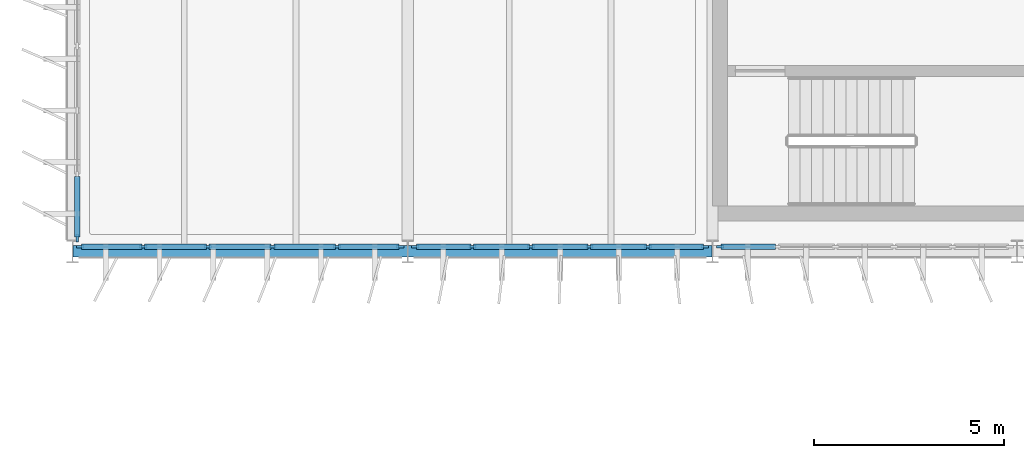
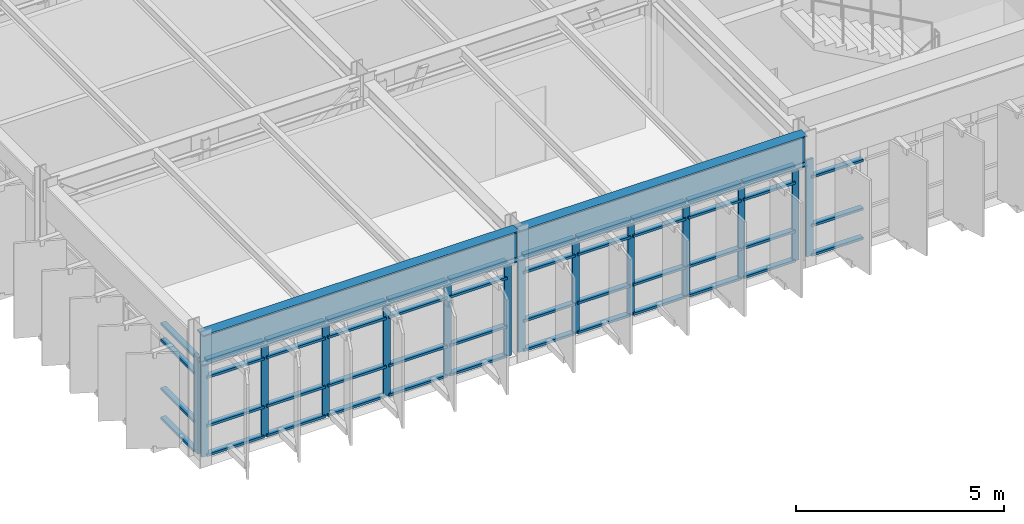
# One storey, part 9 of 56: 61 members, 2 beams, 4 elements without a shape of their own.
"""IFC4 building model written with IfcOpenShell, lengths in metres."""

from ifc_helpers import new_model, si_unit, direction, frame, origin, origin_2d, place, context, subcontext, project, spatial, rectangle, i_section, extrude, material, layer, layer_set, material_profile, profile_set, type_object, element, aggregate, save


model = new_model("IFC4")

# Units and contexts
model_context = context("Model", 3, precision=1e-05, world=origin(), true_north=direction((0.0, 1.0)))
body_context = subcontext(model_context, "Body", "Model", "MODEL_VIEW")
ifc_project = project(units=[si_unit("LENGTHUNIT", "METRE"), si_unit("AREAUNIT", "SQUARE_METRE"), si_unit("VOLUMEUNIT", "CUBIC_METRE"), si_unit("PLANEANGLEUNIT", "RADIAN"), si_unit("MASSUNIT", "GRAM", prefix="KILO")], contexts=[model_context])

# Site, building, storey
site_placement = place(None, origin())
site = spatial("IfcSite", under=ifc_project, at=site_placement, CompositionType="ELEMENT")
building_placement = place(site_placement, origin())
building = spatial("IfcBuilding", under=site, at=building_placement, Name="Valkorina Park Police Headquarters", CompositionType="ELEMENT")
storey_placement = place(building_placement, frame((0.0, 0.0, 14.10009765625)))
storey = spatial("IfcBuildingStorey", under=building, at=storey_placement, Name="L04", CompositionType="ELEMENT", Elevation=14.10009765625)

# Beams
ifc_material_1 = material(Name="Steel S355", Category="steel")
ifc_material_profile_1 = material_profile(ifc_material_1, i_section(OverallWidth=0.300048828125, OverallDepth=0.89990234375, WebThickness=0.0185546875, FlangeThickness=0.034912109375, FilletRadius=0.030029296875, at=origin_2d()), Name="HEB 900")
ifc_profile_set_1 = profile_set([ifc_material_profile_1], Name="Steel S355")
beam_type = type_object("IfcBeamType", Name="BM-S355-HEB900-EXT", PredefinedType="SPANDREL", material=ifc_profile_set_1)
beam_1_placement = place(storey_placement, frame((0.0078125, 37.0, 3.304931640625), z_axis=(1.0, 0.0, 0.0), x_axis=(0.0, 1.0, 0.0)))
element("IfcBeam", 1, at=beam_1_placement, inside=storey, type_object=beam_type, Name="L04 Framing Beam 2214", PredefinedType="SPANDREL", context=body_context, shape_type="SweptSolid", body=[
    extrude(i_section(OverallWidth=0.300048828125, OverallDepth=0.89990234375, WebThickness=0.0185546875, FlangeThickness=0.034912109375, FilletRadius=0.030029296875, at=origin_2d()), origin(), (0.0, 0.0, 1.0), 8.784423828125),
])
beam_2_placement = place(storey_placement, frame((8.8076171875, 37.0, 3.304931640625), z_axis=(1.0, 0.0, 0.0), x_axis=(0.0, 1.0, 0.0)))
element("IfcBeam", 2, at=beam_2_placement, inside=storey, type_object=beam_type, Name="L04 Framing Beam 2215", PredefinedType="SPANDREL", context=body_context, shape_type="SweptSolid", body=[
    extrude(i_section(OverallWidth=0.300048828125, OverallDepth=0.89990234375, WebThickness=0.0185546875, FlangeThickness=0.034912109375, FilletRadius=0.030029296875, at=origin_2d()), origin(), (0.0, 0.0, 1.0), 7.984619140625),
])

# Curtain wall, member
ifc_material_2 = material(Name="Thermally broken aluminium AW-6060", Category="aluminium")
ifc_layer_1 = layer(ifc_material_2, 0.18994140625)
ifc_layer_set_1 = layer_set([ifc_layer_1], Name="Thermally broken aluminium AW-6060")
curtain_wall_type_1 = type_object("IfcCurtainWallType", Name="CW-V5-7680x2840", PredefinedType="NOTDEFINED", material=ifc_layer_set_1)
curtain_wall_1_placement = place(storey_placement, origin())
curtain_wall_1 = element("IfcCurtainWall", 3, at=curtain_wall_1_placement, inside=storey, type_object=curtain_wall_type_1, Name="L04 Unitised Curtain Wall 055", PredefinedType="NOTDEFINED")
ifc_material_profile_2 = material_profile(ifc_material_2, rectangle(XDim=0.070068359375, YDim=0.18994140625, at=origin_2d()), Name="CWM-02 70x190")
ifc_profile_set_2 = profile_set([ifc_material_profile_2], Name="Thermally broken aluminium AW-6060")
member_type_1 = type_object("IfcMemberType", Name="CWM-70x190", PredefinedType="MULLION", material=ifc_profile_set_2)
member_1_placement = place(storey_placement, frame((16.9951171875, 37.1201171875, 0.0), z_axis=(0.0, 0.0, 1.0), x_axis=(0.0, -1.0, 0.0)))
member_1 = element("IfcMember", 4, at=member_1_placement, type_object=member_type_1, Name="CW-V5-768-284 mullion 6", PredefinedType="MULLION", context=body_context, shape_type="SweptSolid", body=[
    extrude(rectangle(XDim=0.070068359375, YDim=0.18994140625, at=origin_2d()), origin(), (0.0, 0.0, 1.0), 2.844970703125),
])

# Curtain wall, members
curtain_wall_2_placement = place(storey_placement, origin())
curtain_wall_2 = element("IfcCurtainWall", 5, at=curtain_wall_2_placement, inside=storey, type_object=curtain_wall_type_1, Name="L04 Unitised Curtain Wall 056", PredefinedType="NOTDEFINED")
member_2_placement = place(storey_placement, frame((16.60498046875, 37.1201171875, 0.0), z_axis=(0.0, 0.0, 1.0), x_axis=(0.0, -1.0, 0.0)))
member_2 = element("IfcMember", 6, at=member_2_placement, type_object=member_type_1, Name="CW-V5-768-284 mullion 1", PredefinedType="MULLION", context=body_context, shape_type="SweptSolid", body=[
    extrude(rectangle(XDim=0.070068359375, YDim=0.18994140625, at=origin_2d()), origin(), (0.0, 0.0, 1.0), 2.844970703125),
])
member_3_placement = place(storey_placement, frame((15.10400390625, 37.1201171875, 0.0), z_axis=(0.0, 0.0, 1.0), x_axis=(0.0, -1.0, 0.0)))
member_3 = element("IfcMember", 7, at=member_3_placement, type_object=member_type_1, Name="CW-V5-768-284 mullion 2", PredefinedType="MULLION", context=body_context, shape_type="SweptSolid", body=[
    extrude(rectangle(XDim=0.070068359375, YDim=0.18994140625, at=origin_2d()), origin(), (0.0, 0.0, 1.0), 2.844970703125),
])
member_4_placement = place(storey_placement, frame((13.568115234375, 37.1201171875, 0.0), z_axis=(0.0, 0.0, 1.0), x_axis=(0.0, -1.0, 0.0)))
member_4 = element("IfcMember", 8, at=member_4_placement, type_object=member_type_1, Name="CW-V5-768-284 mullion 3", PredefinedType="MULLION", context=body_context, shape_type="SweptSolid", body=[
    extrude(rectangle(XDim=0.070068359375, YDim=0.18994140625, at=origin_2d()), origin(), (0.0, 0.0, 1.0), 2.844970703125),
])
member_5_placement = place(storey_placement, frame((12.031982421875, 37.1201171875, 0.0), z_axis=(0.0, 0.0, 1.0), x_axis=(0.0, -1.0, 0.0)))
member_5 = element("IfcMember", 9, at=member_5_placement, type_object=member_type_1, Name="CW-V5-768-284 mullion 4", PredefinedType="MULLION", context=body_context, shape_type="SweptSolid", body=[
    extrude(rectangle(XDim=0.070068359375, YDim=0.18994140625, at=origin_2d()), origin(), (0.0, 0.0, 1.0), 2.844970703125),
])
member_6_placement = place(storey_placement, frame((10.49609375, 37.1201171875, 0.0), z_axis=(0.0, 0.0, 1.0), x_axis=(0.0, -1.0, 0.0)))
member_6 = element("IfcMember", 10, at=member_6_placement, type_object=member_type_1, Name="CW-V5-768-284 mullion 5", PredefinedType="MULLION", context=body_context, shape_type="SweptSolid", body=[
    extrude(rectangle(XDim=0.070068359375, YDim=0.18994140625, at=origin_2d()), origin(), (0.0, 0.0, 1.0), 2.844970703125),
])
member_7_placement = place(storey_placement, frame((8.9951171875, 37.1201171875, 0.0), z_axis=(0.0, 0.0, 1.0), x_axis=(0.0, -1.0, 0.0)))
member_7 = element("IfcMember", 11, at=member_7_placement, type_object=member_type_1, Name="CW-V5-768-284 mullion 6", PredefinedType="MULLION", context=body_context, shape_type="SweptSolid", body=[
    extrude(rectangle(XDim=0.070068359375, YDim=0.18994140625, at=origin_2d()), origin(), (0.0, 0.0, 1.0), 2.844970703125),
])

ifc_layer_2 = layer(ifc_material_2, 0.18994140625)
ifc_layer_set_2 = layer_set([ifc_layer_2], Name="Thermally broken aluminium AW-6060")
curtain_wall_type_2 = type_object("IfcCurtainWallType", Name="CW-V5-8480x2840", PredefinedType="NOTDEFINED", material=ifc_layer_set_2)
curtain_wall_3_placement = place(storey_placement, origin())
curtain_wall_3 = element("IfcCurtainWall", 12, at=curtain_wall_3_placement, inside=storey, type_object=curtain_wall_type_2, Name="L04 Unitised Curtain Wall 057", PredefinedType="NOTDEFINED")
member_8_placement = place(storey_placement, frame((8.60498046875, 37.1201171875, 0.0), z_axis=(0.0, 0.0, 1.0), x_axis=(0.0, -1.0, 0.0)))
member_8 = element("IfcMember", 13, at=member_8_placement, type_object=member_type_1, Name="CW-V5-848-284 mullion 1", PredefinedType="MULLION", context=body_context, shape_type="SweptSolid", body=[
    extrude(rectangle(XDim=0.070068359375, YDim=0.18994140625, at=origin_2d()), origin(), (0.0, 0.0, 1.0), 2.844970703125),
])
member_9_placement = place(storey_placement, frame((6.944091796875, 37.1201171875, 0.0), z_axis=(0.0, 0.0, 1.0), x_axis=(0.0, -1.0, 0.0)))
member_9 = element("IfcMember", 14, at=member_9_placement, type_object=member_type_1, Name="CW-V5-848-284 mullion 2", PredefinedType="MULLION", context=body_context, shape_type="SweptSolid", body=[
    extrude(rectangle(XDim=0.070068359375, YDim=0.18994140625, at=origin_2d()), origin(), (0.0, 0.0, 1.0), 2.844970703125),
])
member_10_placement = place(storey_placement, frame((5.248046875, 37.1201171875, 0.0), z_axis=(0.0, 0.0, 1.0), x_axis=(0.0, -1.0, 0.0)))
member_10 = element("IfcMember", 15, at=member_10_placement, type_object=member_type_1, Name="CW-V5-848-284 mullion 3", PredefinedType="MULLION", context=body_context, shape_type="SweptSolid", body=[
    extrude(rectangle(XDim=0.070068359375, YDim=0.18994140625, at=origin_2d()), origin(), (0.0, 0.0, 1.0), 2.844970703125),
])
member_11_placement = place(storey_placement, frame((3.552001953125, 37.1201171875, 0.0), z_axis=(0.0, 0.0, 1.0), x_axis=(0.0, -1.0, 0.0)))
member_11 = element("IfcMember", 16, at=member_11_placement, type_object=member_type_1, Name="CW-V5-848-284 mullion 4", PredefinedType="MULLION", context=body_context, shape_type="SweptSolid", body=[
    extrude(rectangle(XDim=0.070068359375, YDim=0.18994140625, at=origin_2d()), origin(), (0.0, 0.0, 1.0), 2.844970703125),
])
member_12_placement = place(storey_placement, frame((1.85595703125, 37.1201171875, 0.0), z_axis=(0.0, 0.0, 1.0), x_axis=(0.0, -1.0, 0.0)))
member_12 = element("IfcMember", 17, at=member_12_placement, type_object=member_type_1, Name="CW-V5-848-284 mullion 5", PredefinedType="MULLION", context=body_context, shape_type="SweptSolid", body=[
    extrude(rectangle(XDim=0.070068359375, YDim=0.18994140625, at=origin_2d()), origin(), (0.0, 0.0, 1.0), 2.844970703125),
])
member_13_placement = place(storey_placement, frame((0.195068359375, 37.1201171875, 0.0), z_axis=(0.0, 0.0, 1.0), x_axis=(0.0, -1.0, 0.0)))
member_13 = element("IfcMember", 18, at=member_13_placement, type_object=member_type_1, Name="CW-V5-848-284 mullion 6", PredefinedType="MULLION", context=body_context, shape_type="SweptSolid", body=[
    extrude(rectangle(XDim=0.070068359375, YDim=0.18994140625, at=origin_2d()), origin(), (0.0, 0.0, 1.0), 2.844970703125),
])

# Curtain wall, member
ifc_layer_3 = layer(ifc_material_2, 0.18994140625)
ifc_layer_set_3 = layer_set([ifc_layer_3], Name="Thermally broken aluminium AW-6060")
curtain_wall_type_3 = type_object("IfcCurtainWallType", Name="CW-V5-6780x2840", PredefinedType="NOTDEFINED", material=ifc_layer_set_3)
curtain_wall_4_placement = place(storey_placement, origin())
curtain_wall_4 = element("IfcCurtainWall", 19, at=curtain_wall_4_placement, inside=storey, type_object=curtain_wall_type_3, Name="L04 Unitised Curtain Wall 058", PredefinedType="NOTDEFINED")
member_14_placement = place(storey_placement, frame((0.1201171875, 37.344970703125, 0.0), z_axis=(0.0, 0.0, 1.0), x_axis=(-1.0, 0.0, 0.0)))
member_14 = element("IfcMember", 20, at=member_14_placement, type_object=member_type_1, Name="CW-V5-678-284 mullion 1", PredefinedType="MULLION", context=body_context, shape_type="SweptSolid", body=[
    extrude(rectangle(XDim=0.070068359375, YDim=0.18994140625, at=origin_2d()), origin(), (0.0, 0.0, 1.0), 2.844970703125),
])

# Member
ifc_material_profile_3 = material_profile(ifc_material_2, rectangle(XDim=0.14990234375, YDim=0.070068359375, at=origin_2d()), Name="CWT-02 150x70")
ifc_profile_set_3 = profile_set([ifc_material_profile_3], Name="Thermally broken aluminium AW-6060")
member_type_2 = type_object("IfcMemberType", Name="CWT-150x70", PredefinedType="USERDEFINED", material=ifc_profile_set_3)
member_15_placement = place(storey_placement, frame((18.4609375, 37.1201171875, 0.034912109375), z_axis=(-1.0, 0.0, 0.0), x_axis=(0.0, -1.0, 0.0)))
member_15 = element("IfcMember", 21, at=member_15_placement, type_object=member_type_2, Name="CW-V5-768-284 transom 5.1", ObjectType="TRANSOM", PredefinedType="USERDEFINED", context=body_context, shape_type="SweptSolid", body=[
    extrude(rectangle(XDim=0.14990234375, YDim=0.070068359375, at=origin_2d()), origin(), (0.0, 0.0, 1.0), 1.430908203125),
])

member_16_placement = place(storey_placement, frame((18.4609375, 37.1201171875, 0.89990234375), z_axis=(-1.0, 0.0, 0.0), x_axis=(0.0, -1.0, 0.0)))
member_16 = element("IfcMember", 22, at=member_16_placement, type_object=member_type_2, Name="CW-V5-768-284 transom 5.2", ObjectType="TRANSOM", PredefinedType="USERDEFINED", context=body_context, shape_type="SweptSolid", body=[
    extrude(rectangle(XDim=0.14990234375, YDim=0.070068359375, at=origin_2d()), origin(), (0.0, 0.0, 1.0), 1.430908203125),
])

member_17_placement = place(storey_placement, frame((18.4609375, 37.1201171875, 2.324951171875), z_axis=(-1.0, 0.0, 0.0), x_axis=(0.0, -1.0, 0.0)))
member_17 = element("IfcMember", 23, at=member_17_placement, type_object=member_type_2, Name="CW-V5-768-284 transom 5.3", ObjectType="TRANSOM", PredefinedType="USERDEFINED", context=body_context, shape_type="SweptSolid", body=[
    extrude(rectangle(XDim=0.14990234375, YDim=0.070068359375, at=origin_2d()), origin(), (0.0, 0.0, 1.0), 1.430908203125),
])

aggregate(curtain_wall_1, [member_1, member_15, member_16, member_17])

member_18_placement = place(storey_placement, frame((16.570068359375, 37.1201171875, 0.034912109375), z_axis=(-1.0, 0.0, 0.0), x_axis=(0.0, -1.0, 0.0)))
member_18 = element("IfcMember", 24, at=member_18_placement, type_object=member_type_2, Name="CW-V5-768-284 transom 1.1", ObjectType="TRANSOM", PredefinedType="USERDEFINED", context=body_context, shape_type="SweptSolid", body=[
    extrude(rectangle(XDim=0.14990234375, YDim=0.070068359375, at=origin_2d()), origin(), (0.0, 0.0, 1.0), 1.43115234375),
])

member_19_placement = place(storey_placement, frame((16.570068359375, 37.1201171875, 0.89990234375), z_axis=(-1.0, 0.0, 0.0), x_axis=(0.0, -1.0, 0.0)))
member_19 = element("IfcMember", 25, at=member_19_placement, type_object=member_type_2, Name="CW-V5-768-284 transom 1.2", ObjectType="TRANSOM", PredefinedType="USERDEFINED", context=body_context, shape_type="SweptSolid", body=[
    extrude(rectangle(XDim=0.14990234375, YDim=0.070068359375, at=origin_2d()), origin(), (0.0, 0.0, 1.0), 1.43115234375),
])

member_20_placement = place(storey_placement, frame((16.570068359375, 37.1201171875, 2.324951171875), z_axis=(-1.0, 0.0, 0.0), x_axis=(0.0, -1.0, 0.0)))
member_20 = element("IfcMember", 26, at=member_20_placement, type_object=member_type_2, Name="CW-V5-768-284 transom 1.3", ObjectType="TRANSOM", PredefinedType="USERDEFINED", context=body_context, shape_type="SweptSolid", body=[
    extrude(rectangle(XDim=0.14990234375, YDim=0.070068359375, at=origin_2d()), origin(), (0.0, 0.0, 1.0), 1.43115234375),
])

member_21_placement = place(storey_placement, frame((16.570068359375, 37.1201171875, 2.809814453125), z_axis=(-1.0, 0.0, 0.0), x_axis=(0.0, -1.0, 0.0)))
member_21 = element("IfcMember", 27, at=member_21_placement, type_object=member_type_2, Name="CW-V5-768-284 transom 1.4", ObjectType="TRANSOM", PredefinedType="USERDEFINED", context=body_context, shape_type="SweptSolid", body=[
    extrude(rectangle(XDim=0.14990234375, YDim=0.070068359375, at=origin_2d()), origin(), (0.0, 0.0, 1.0), 1.43115234375),
])

member_22_placement = place(storey_placement, frame((15.069091796875, 37.1201171875, 0.034912109375), z_axis=(-1.0, 0.0, 0.0), x_axis=(0.0, -1.0, 0.0)))
member_22 = element("IfcMember", 28, at=member_22_placement, type_object=member_type_2, Name="CW-V5-768-284 transom 2.1", ObjectType="TRANSOM", PredefinedType="USERDEFINED", context=body_context, shape_type="SweptSolid", body=[
    extrude(rectangle(XDim=0.14990234375, YDim=0.070068359375, at=origin_2d()), origin(), (0.0, 0.0, 1.0), 1.466064453125),
])

member_23_placement = place(storey_placement, frame((15.069091796875, 37.1201171875, 0.89990234375), z_axis=(-1.0, 0.0, 0.0), x_axis=(0.0, -1.0, 0.0)))
member_23 = element("IfcMember", 29, at=member_23_placement, type_object=member_type_2, Name="CW-V5-768-284 transom 2.2", ObjectType="TRANSOM", PredefinedType="USERDEFINED", context=body_context, shape_type="SweptSolid", body=[
    extrude(rectangle(XDim=0.14990234375, YDim=0.070068359375, at=origin_2d()), origin(), (0.0, 0.0, 1.0), 1.466064453125),
])

member_24_placement = place(storey_placement, frame((15.069091796875, 37.1201171875, 2.324951171875), z_axis=(-1.0, 0.0, 0.0), x_axis=(0.0, -1.0, 0.0)))
member_24 = element("IfcMember", 30, at=member_24_placement, type_object=member_type_2, Name="CW-V5-768-284 transom 2.3", ObjectType="TRANSOM", PredefinedType="USERDEFINED", context=body_context, shape_type="SweptSolid", body=[
    extrude(rectangle(XDim=0.14990234375, YDim=0.070068359375, at=origin_2d()), origin(), (0.0, 0.0, 1.0), 1.466064453125),
])

member_25_placement = place(storey_placement, frame((15.069091796875, 37.1201171875, 2.809814453125), z_axis=(-1.0, 0.0, 0.0), x_axis=(0.0, -1.0, 0.0)))
member_25 = element("IfcMember", 31, at=member_25_placement, type_object=member_type_2, Name="CW-V5-768-284 transom 2.4", ObjectType="TRANSOM", PredefinedType="USERDEFINED", context=body_context, shape_type="SweptSolid", body=[
    extrude(rectangle(XDim=0.14990234375, YDim=0.070068359375, at=origin_2d()), origin(), (0.0, 0.0, 1.0), 1.466064453125),
])

member_26_placement = place(storey_placement, frame((13.532958984375, 37.1201171875, 0.034912109375), z_axis=(-1.0, 0.0, 0.0), x_axis=(0.0, -1.0, 0.0)))
member_26 = element("IfcMember", 32, at=member_26_placement, type_object=member_type_2, Name="CW-V5-768-284 transom 3.1", ObjectType="TRANSOM", PredefinedType="USERDEFINED", context=body_context, shape_type="SweptSolid", body=[
    extrude(rectangle(XDim=0.14990234375, YDim=0.070068359375, at=origin_2d()), origin(), (0.0, 0.0, 1.0), 1.466064453125),
])

member_27_placement = place(storey_placement, frame((13.532958984375, 37.1201171875, 0.89990234375), z_axis=(-1.0, 0.0, 0.0), x_axis=(0.0, -1.0, 0.0)))
member_27 = element("IfcMember", 33, at=member_27_placement, type_object=member_type_2, Name="CW-V5-768-284 transom 3.2", ObjectType="TRANSOM", PredefinedType="USERDEFINED", context=body_context, shape_type="SweptSolid", body=[
    extrude(rectangle(XDim=0.14990234375, YDim=0.070068359375, at=origin_2d()), origin(), (0.0, 0.0, 1.0), 1.466064453125),
])

member_28_placement = place(storey_placement, frame((13.532958984375, 37.1201171875, 2.324951171875), z_axis=(-1.0, 0.0, 0.0), x_axis=(0.0, -1.0, 0.0)))
member_28 = element("IfcMember", 34, at=member_28_placement, type_object=member_type_2, Name="CW-V5-768-284 transom 3.3", ObjectType="TRANSOM", PredefinedType="USERDEFINED", context=body_context, shape_type="SweptSolid", body=[
    extrude(rectangle(XDim=0.14990234375, YDim=0.070068359375, at=origin_2d()), origin(), (0.0, 0.0, 1.0), 1.466064453125),
])

member_29_placement = place(storey_placement, frame((13.532958984375, 37.1201171875, 2.809814453125), z_axis=(-1.0, 0.0, 0.0), x_axis=(0.0, -1.0, 0.0)))
member_29 = element("IfcMember", 35, at=member_29_placement, type_object=member_type_2, Name="CW-V5-768-284 transom 3.4", ObjectType="TRANSOM", PredefinedType="USERDEFINED", context=body_context, shape_type="SweptSolid", body=[
    extrude(rectangle(XDim=0.14990234375, YDim=0.070068359375, at=origin_2d()), origin(), (0.0, 0.0, 1.0), 1.466064453125),
])

member_30_placement = place(storey_placement, frame((11.9970703125, 37.1201171875, 0.034912109375), z_axis=(-1.0, 0.0, 0.0), x_axis=(0.0, -1.0, 0.0)))
member_30 = element("IfcMember", 36, at=member_30_placement, type_object=member_type_2, Name="CW-V5-768-284 transom 4.1", ObjectType="TRANSOM", PredefinedType="USERDEFINED", context=body_context, shape_type="SweptSolid", body=[
    extrude(rectangle(XDim=0.14990234375, YDim=0.070068359375, at=origin_2d()), origin(), (0.0, 0.0, 1.0), 1.466064453125),
])

member_31_placement = place(storey_placement, frame((11.9970703125, 37.1201171875, 0.89990234375), z_axis=(-1.0, 0.0, 0.0), x_axis=(0.0, -1.0, 0.0)))
member_31 = element("IfcMember", 37, at=member_31_placement, type_object=member_type_2, Name="CW-V5-768-284 transom 4.2", ObjectType="TRANSOM", PredefinedType="USERDEFINED", context=body_context, shape_type="SweptSolid", body=[
    extrude(rectangle(XDim=0.14990234375, YDim=0.070068359375, at=origin_2d()), origin(), (0.0, 0.0, 1.0), 1.466064453125),
])

member_32_placement = place(storey_placement, frame((11.9970703125, 37.1201171875, 2.324951171875), z_axis=(-1.0, 0.0, 0.0), x_axis=(0.0, -1.0, 0.0)))
member_32 = element("IfcMember", 38, at=member_32_placement, type_object=member_type_2, Name="CW-V5-768-284 transom 4.3", ObjectType="TRANSOM", PredefinedType="USERDEFINED", context=body_context, shape_type="SweptSolid", body=[
    extrude(rectangle(XDim=0.14990234375, YDim=0.070068359375, at=origin_2d()), origin(), (0.0, 0.0, 1.0), 1.466064453125),
])

member_33_placement = place(storey_placement, frame((11.9970703125, 37.1201171875, 2.809814453125), z_axis=(-1.0, 0.0, 0.0), x_axis=(0.0, -1.0, 0.0)))
member_33 = element("IfcMember", 39, at=member_33_placement, type_object=member_type_2, Name="CW-V5-768-284 transom 4.4", ObjectType="TRANSOM", PredefinedType="USERDEFINED", context=body_context, shape_type="SweptSolid", body=[
    extrude(rectangle(XDim=0.14990234375, YDim=0.070068359375, at=origin_2d()), origin(), (0.0, 0.0, 1.0), 1.466064453125),
])

member_34_placement = place(storey_placement, frame((10.4609375, 37.1201171875, 0.034912109375), z_axis=(-1.0, 0.0, 0.0), x_axis=(0.0, -1.0, 0.0)))
member_34 = element("IfcMember", 40, at=member_34_placement, type_object=member_type_2, Name="CW-V5-768-284 transom 5.1", ObjectType="TRANSOM", PredefinedType="USERDEFINED", context=body_context, shape_type="SweptSolid", body=[
    extrude(rectangle(XDim=0.14990234375, YDim=0.070068359375, at=origin_2d()), origin(), (0.0, 0.0, 1.0), 1.430908203125),
])

member_35_placement = place(storey_placement, frame((10.4609375, 37.1201171875, 0.89990234375), z_axis=(-1.0, 0.0, 0.0), x_axis=(0.0, -1.0, 0.0)))
member_35 = element("IfcMember", 41, at=member_35_placement, type_object=member_type_2, Name="CW-V5-768-284 transom 5.2", ObjectType="TRANSOM", PredefinedType="USERDEFINED", context=body_context, shape_type="SweptSolid", body=[
    extrude(rectangle(XDim=0.14990234375, YDim=0.070068359375, at=origin_2d()), origin(), (0.0, 0.0, 1.0), 1.430908203125),
])

member_36_placement = place(storey_placement, frame((10.4609375, 37.1201171875, 2.324951171875), z_axis=(-1.0, 0.0, 0.0), x_axis=(0.0, -1.0, 0.0)))
member_36 = element("IfcMember", 42, at=member_36_placement, type_object=member_type_2, Name="CW-V5-768-284 transom 5.3", ObjectType="TRANSOM", PredefinedType="USERDEFINED", context=body_context, shape_type="SweptSolid", body=[
    extrude(rectangle(XDim=0.14990234375, YDim=0.070068359375, at=origin_2d()), origin(), (0.0, 0.0, 1.0), 1.430908203125),
])

member_37_placement = place(storey_placement, frame((10.4609375, 37.1201171875, 2.809814453125), z_axis=(-1.0, 0.0, 0.0), x_axis=(0.0, -1.0, 0.0)))
member_37 = element("IfcMember", 43, at=member_37_placement, type_object=member_type_2, Name="CW-V5-768-284 transom 5.4", ObjectType="TRANSOM", PredefinedType="USERDEFINED", context=body_context, shape_type="SweptSolid", body=[
    extrude(rectangle(XDim=0.14990234375, YDim=0.070068359375, at=origin_2d()), origin(), (0.0, 0.0, 1.0), 1.430908203125),
])

aggregate(curtain_wall_2, [member_2, member_3, member_4, member_5, member_6, member_7, member_18, member_19, member_20, member_21, member_22, member_23, member_24, member_25, member_26, member_27, member_28, member_29, member_30, member_31, member_32, member_33, member_34, member_35, member_36, member_37])

member_38_placement = place(storey_placement, frame((8.570068359375, 37.1201171875, 0.034912109375), z_axis=(-1.0, 0.0, 0.0), x_axis=(0.0, -1.0, 0.0)))
member_38 = element("IfcMember", 44, at=member_38_placement, type_object=member_type_2, Name="CW-V5-848-284 transom 1.1", ObjectType="TRANSOM", PredefinedType="USERDEFINED", context=body_context, shape_type="SweptSolid", body=[
    extrude(rectangle(XDim=0.14990234375, YDim=0.070068359375, at=origin_2d()), origin(), (0.0, 0.0, 1.0), 1.591064453125),
])

member_39_placement = place(storey_placement, frame((8.570068359375, 37.1201171875, 0.89990234375), z_axis=(-1.0, 0.0, 0.0), x_axis=(0.0, -1.0, 0.0)))
member_39 = element("IfcMember", 45, at=member_39_placement, type_object=member_type_2, Name="CW-V5-848-284 transom 1.2", ObjectType="TRANSOM", PredefinedType="USERDEFINED", context=body_context, shape_type="SweptSolid", body=[
    extrude(rectangle(XDim=0.14990234375, YDim=0.070068359375, at=origin_2d()), origin(), (0.0, 0.0, 1.0), 1.591064453125),
])

member_40_placement = place(storey_placement, frame((8.570068359375, 37.1201171875, 2.324951171875), z_axis=(-1.0, 0.0, 0.0), x_axis=(0.0, -1.0, 0.0)))
member_40 = element("IfcMember", 46, at=member_40_placement, type_object=member_type_2, Name="CW-V5-848-284 transom 1.3", ObjectType="TRANSOM", PredefinedType="USERDEFINED", context=body_context, shape_type="SweptSolid", body=[
    extrude(rectangle(XDim=0.14990234375, YDim=0.070068359375, at=origin_2d()), origin(), (0.0, 0.0, 1.0), 1.591064453125),
])

member_41_placement = place(storey_placement, frame((8.570068359375, 37.1201171875, 2.809814453125), z_axis=(-1.0, 0.0, 0.0), x_axis=(0.0, -1.0, 0.0)))
member_41 = element("IfcMember", 47, at=member_41_placement, type_object=member_type_2, Name="CW-V5-848-284 transom 1.4", ObjectType="TRANSOM", PredefinedType="USERDEFINED", context=body_context, shape_type="SweptSolid", body=[
    extrude(rectangle(XDim=0.14990234375, YDim=0.070068359375, at=origin_2d()), origin(), (0.0, 0.0, 1.0), 1.591064453125),
])

member_42_placement = place(storey_placement, frame((6.908935546875, 37.1201171875, 0.034912109375), z_axis=(-1.0, 0.0, 0.0), x_axis=(0.0, -1.0, 0.0)))
member_42 = element("IfcMember", 48, at=member_42_placement, type_object=member_type_2, Name="CW-V5-848-284 transom 2.1", ObjectType="TRANSOM", PredefinedType="USERDEFINED", context=body_context, shape_type="SweptSolid", body=[
    extrude(rectangle(XDim=0.14990234375, YDim=0.070068359375, at=origin_2d()), origin(), (0.0, 0.0, 1.0), 1.6259765625),
])

member_43_placement = place(storey_placement, frame((6.908935546875, 37.1201171875, 0.89990234375), z_axis=(-1.0, 0.0, 0.0), x_axis=(0.0, -1.0, 0.0)))
member_43 = element("IfcMember", 49, at=member_43_placement, type_object=member_type_2, Name="CW-V5-848-284 transom 2.2", ObjectType="TRANSOM", PredefinedType="USERDEFINED", context=body_context, shape_type="SweptSolid", body=[
    extrude(rectangle(XDim=0.14990234375, YDim=0.070068359375, at=origin_2d()), origin(), (0.0, 0.0, 1.0), 1.6259765625),
])

member_44_placement = place(storey_placement, frame((6.908935546875, 37.1201171875, 2.324951171875), z_axis=(-1.0, 0.0, 0.0), x_axis=(0.0, -1.0, 0.0)))
member_44 = element("IfcMember", 50, at=member_44_placement, type_object=member_type_2, Name="CW-V5-848-284 transom 2.3", ObjectType="TRANSOM", PredefinedType="USERDEFINED", context=body_context, shape_type="SweptSolid", body=[
    extrude(rectangle(XDim=0.14990234375, YDim=0.070068359375, at=origin_2d()), origin(), (0.0, 0.0, 1.0), 1.6259765625),
])

member_45_placement = place(storey_placement, frame((6.908935546875, 37.1201171875, 2.809814453125), z_axis=(-1.0, 0.0, 0.0), x_axis=(0.0, -1.0, 0.0)))
member_45 = element("IfcMember", 51, at=member_45_placement, type_object=member_type_2, Name="CW-V5-848-284 transom 2.4", ObjectType="TRANSOM", PredefinedType="USERDEFINED", context=body_context, shape_type="SweptSolid", body=[
    extrude(rectangle(XDim=0.14990234375, YDim=0.070068359375, at=origin_2d()), origin(), (0.0, 0.0, 1.0), 1.6259765625),
])

member_46_placement = place(storey_placement, frame((5.212890625, 37.1201171875, 0.034912109375), z_axis=(-1.0, 0.0, 0.0), x_axis=(0.0, -1.0, 0.0)))
member_46 = element("IfcMember", 52, at=member_46_placement, type_object=member_type_2, Name="CW-V5-848-284 transom 3.1", ObjectType="TRANSOM", PredefinedType="USERDEFINED", context=body_context, shape_type="SweptSolid", body=[
    extrude(rectangle(XDim=0.14990234375, YDim=0.070068359375, at=origin_2d()), origin(), (0.0, 0.0, 1.0), 1.6259765625),
])

member_47_placement = place(storey_placement, frame((5.212890625, 37.1201171875, 0.89990234375), z_axis=(-1.0, 0.0, 0.0), x_axis=(0.0, -1.0, 0.0)))
member_47 = element("IfcMember", 53, at=member_47_placement, type_object=member_type_2, Name="CW-V5-848-284 transom 3.2", ObjectType="TRANSOM", PredefinedType="USERDEFINED", context=body_context, shape_type="SweptSolid", body=[
    extrude(rectangle(XDim=0.14990234375, YDim=0.070068359375, at=origin_2d()), origin(), (0.0, 0.0, 1.0), 1.6259765625),
])

member_48_placement = place(storey_placement, frame((5.212890625, 37.1201171875, 2.324951171875), z_axis=(-1.0, 0.0, 0.0), x_axis=(0.0, -1.0, 0.0)))
member_48 = element("IfcMember", 54, at=member_48_placement, type_object=member_type_2, Name="CW-V5-848-284 transom 3.3", ObjectType="TRANSOM", PredefinedType="USERDEFINED", context=body_context, shape_type="SweptSolid", body=[
    extrude(rectangle(XDim=0.14990234375, YDim=0.070068359375, at=origin_2d()), origin(), (0.0, 0.0, 1.0), 1.6259765625),
])

member_49_placement = place(storey_placement, frame((5.212890625, 37.1201171875, 2.809814453125), z_axis=(-1.0, 0.0, 0.0), x_axis=(0.0, -1.0, 0.0)))
member_49 = element("IfcMember", 55, at=member_49_placement, type_object=member_type_2, Name="CW-V5-848-284 transom 3.4", ObjectType="TRANSOM", PredefinedType="USERDEFINED", context=body_context, shape_type="SweptSolid", body=[
    extrude(rectangle(XDim=0.14990234375, YDim=0.070068359375, at=origin_2d()), origin(), (0.0, 0.0, 1.0), 1.6259765625),
])

member_50_placement = place(storey_placement, frame((3.51708984375, 37.1201171875, 0.034912109375), z_axis=(-1.0, 0.0, 0.0), x_axis=(0.0, -1.0, 0.0)))
member_50 = element("IfcMember", 56, at=member_50_placement, type_object=member_type_2, Name="CW-V5-848-284 transom 4.1", ObjectType="TRANSOM", PredefinedType="USERDEFINED", context=body_context, shape_type="SweptSolid", body=[
    extrude(rectangle(XDim=0.14990234375, YDim=0.070068359375, at=origin_2d()), origin(), (0.0, 0.0, 1.0), 1.6259765625),
])

member_51_placement = place(storey_placement, frame((3.51708984375, 37.1201171875, 0.89990234375), z_axis=(-1.0, 0.0, 0.0), x_axis=(0.0, -1.0, 0.0)))
member_51 = element("IfcMember", 57, at=member_51_placement, type_object=member_type_2, Name="CW-V5-848-284 transom 4.2", ObjectType="TRANSOM", PredefinedType="USERDEFINED", context=body_context, shape_type="SweptSolid", body=[
    extrude(rectangle(XDim=0.14990234375, YDim=0.070068359375, at=origin_2d()), origin(), (0.0, 0.0, 1.0), 1.6259765625),
])

member_52_placement = place(storey_placement, frame((3.51708984375, 37.1201171875, 2.324951171875), z_axis=(-1.0, 0.0, 0.0), x_axis=(0.0, -1.0, 0.0)))
member_52 = element("IfcMember", 58, at=member_52_placement, type_object=member_type_2, Name="CW-V5-848-284 transom 4.3", ObjectType="TRANSOM", PredefinedType="USERDEFINED", context=body_context, shape_type="SweptSolid", body=[
    extrude(rectangle(XDim=0.14990234375, YDim=0.070068359375, at=origin_2d()), origin(), (0.0, 0.0, 1.0), 1.6259765625),
])

member_53_placement = place(storey_placement, frame((3.51708984375, 37.1201171875, 2.809814453125), z_axis=(-1.0, 0.0, 0.0), x_axis=(0.0, -1.0, 0.0)))
member_53 = element("IfcMember", 59, at=member_53_placement, type_object=member_type_2, Name="CW-V5-848-284 transom 4.4", ObjectType="TRANSOM", PredefinedType="USERDEFINED", context=body_context, shape_type="SweptSolid", body=[
    extrude(rectangle(XDim=0.14990234375, YDim=0.070068359375, at=origin_2d()), origin(), (0.0, 0.0, 1.0), 1.6259765625),
])

member_54_placement = place(storey_placement, frame((1.821044921875, 37.1201171875, 0.034912109375), z_axis=(-1.0, 0.0, 0.0), x_axis=(0.0, -1.0, 0.0)))
member_54 = element("IfcMember", 60, at=member_54_placement, type_object=member_type_2, Name="CW-V5-848-284 transom 5.1", ObjectType="TRANSOM", PredefinedType="USERDEFINED", context=body_context, shape_type="SweptSolid", body=[
    extrude(rectangle(XDim=0.14990234375, YDim=0.070068359375, at=origin_2d()), origin(), (0.0, 0.0, 1.0), 1.591064453125),
])

member_55_placement = place(storey_placement, frame((1.821044921875, 37.1201171875, 0.89990234375), z_axis=(-1.0, 0.0, 0.0), x_axis=(0.0, -1.0, 0.0)))
member_55 = element("IfcMember", 61, at=member_55_placement, type_object=member_type_2, Name="CW-V5-848-284 transom 5.2", ObjectType="TRANSOM", PredefinedType="USERDEFINED", context=body_context, shape_type="SweptSolid", body=[
    extrude(rectangle(XDim=0.14990234375, YDim=0.070068359375, at=origin_2d()), origin(), (0.0, 0.0, 1.0), 1.591064453125),
])

member_56_placement = place(storey_placement, frame((1.821044921875, 37.1201171875, 2.324951171875), z_axis=(-1.0, 0.0, 0.0), x_axis=(0.0, -1.0, 0.0)))
member_56 = element("IfcMember", 62, at=member_56_placement, type_object=member_type_2, Name="CW-V5-848-284 transom 5.3", ObjectType="TRANSOM", PredefinedType="USERDEFINED", context=body_context, shape_type="SweptSolid", body=[
    extrude(rectangle(XDim=0.14990234375, YDim=0.070068359375, at=origin_2d()), origin(), (0.0, 0.0, 1.0), 1.591064453125),
])

member_57_placement = place(storey_placement, frame((1.821044921875, 37.1201171875, 2.809814453125), z_axis=(-1.0, 0.0, 0.0), x_axis=(0.0, -1.0, 0.0)))
member_57 = element("IfcMember", 63, at=member_57_placement, type_object=member_type_2, Name="CW-V5-848-284 transom 5.4", ObjectType="TRANSOM", PredefinedType="USERDEFINED", context=body_context, shape_type="SweptSolid", body=[
    extrude(rectangle(XDim=0.14990234375, YDim=0.070068359375, at=origin_2d()), origin(), (0.0, 0.0, 1.0), 1.591064453125),
])

aggregate(curtain_wall_3, [member_8, member_9, member_10, member_11, member_12, member_13, member_38, member_39, member_40, member_41, member_42, member_43, member_44, member_45, member_46, member_47, member_48, member_49, member_50, member_51, member_52, member_53, member_54, member_55, member_56, member_57])

member_58_placement = place(storey_placement, frame((0.1201171875, 37.3798828125, 0.034912109375), z_axis=(0.0, 1.0, 0.0), x_axis=(-1.0, 0.0, 0.0)))
member_58 = element("IfcMember", 64, at=member_58_placement, type_object=member_type_2, Name="CW-V5-678-284 transom 1.1", ObjectType="TRANSOM", PredefinedType="USERDEFINED", context=body_context, shape_type="SweptSolid", body=[
    extrude(rectangle(XDim=0.14990234375, YDim=0.070068359375, at=origin_2d()), origin(), (0.0, 0.0, 1.0), 1.590087890625),
])

member_59_placement = place(storey_placement, frame((0.1201171875, 37.3798828125, 0.89990234375), z_axis=(0.0, 1.0, 0.0), x_axis=(-1.0, 0.0, 0.0)))
member_59 = element("IfcMember", 65, at=member_59_placement, type_object=member_type_2, Name="CW-V5-678-284 transom 1.2", ObjectType="TRANSOM", PredefinedType="USERDEFINED", context=body_context, shape_type="SweptSolid", body=[
    extrude(rectangle(XDim=0.14990234375, YDim=0.070068359375, at=origin_2d()), origin(), (0.0, 0.0, 1.0), 1.590087890625),
])

member_60_placement = place(storey_placement, frame((0.1201171875, 37.3798828125, 2.324951171875), z_axis=(0.0, 1.0, 0.0), x_axis=(-1.0, 0.0, 0.0)))
member_60 = element("IfcMember", 66, at=member_60_placement, type_object=member_type_2, Name="CW-V5-678-284 transom 1.3", ObjectType="TRANSOM", PredefinedType="USERDEFINED", context=body_context, shape_type="SweptSolid", body=[
    extrude(rectangle(XDim=0.14990234375, YDim=0.070068359375, at=origin_2d()), origin(), (0.0, 0.0, 1.0), 1.590087890625),
])

member_61_placement = place(storey_placement, frame((0.1201171875, 37.3798828125, 2.809814453125), z_axis=(0.0, 1.0, 0.0), x_axis=(-1.0, 0.0, 0.0)))
member_61 = element("IfcMember", 67, at=member_61_placement, type_object=member_type_2, Name="CW-V5-678-284 transom 1.4", ObjectType="TRANSOM", PredefinedType="USERDEFINED", context=body_context, shape_type="SweptSolid", body=[
    extrude(rectangle(XDim=0.14990234375, YDim=0.070068359375, at=origin_2d()), origin(), (0.0, 0.0, 1.0), 1.590087890625),
])

aggregate(curtain_wall_4, [member_14, member_58, member_59, member_60, member_61])

save(model, "model.ifc")
